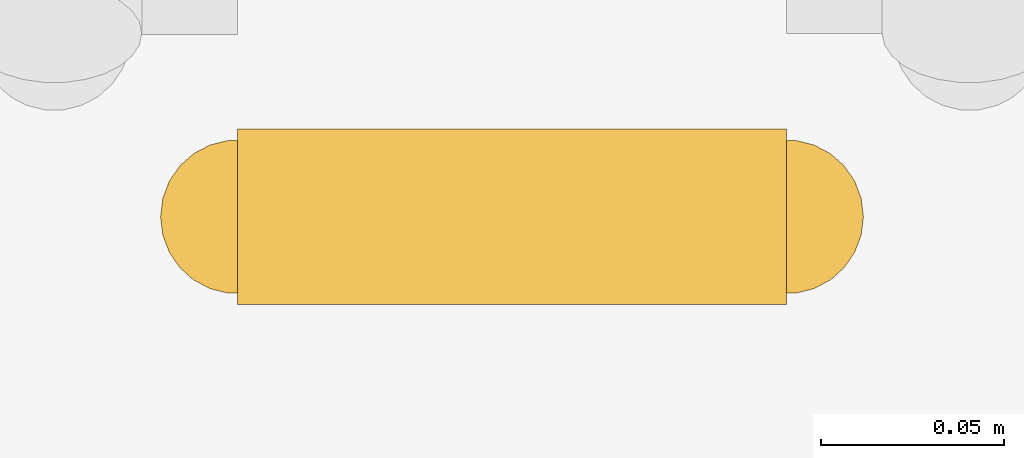
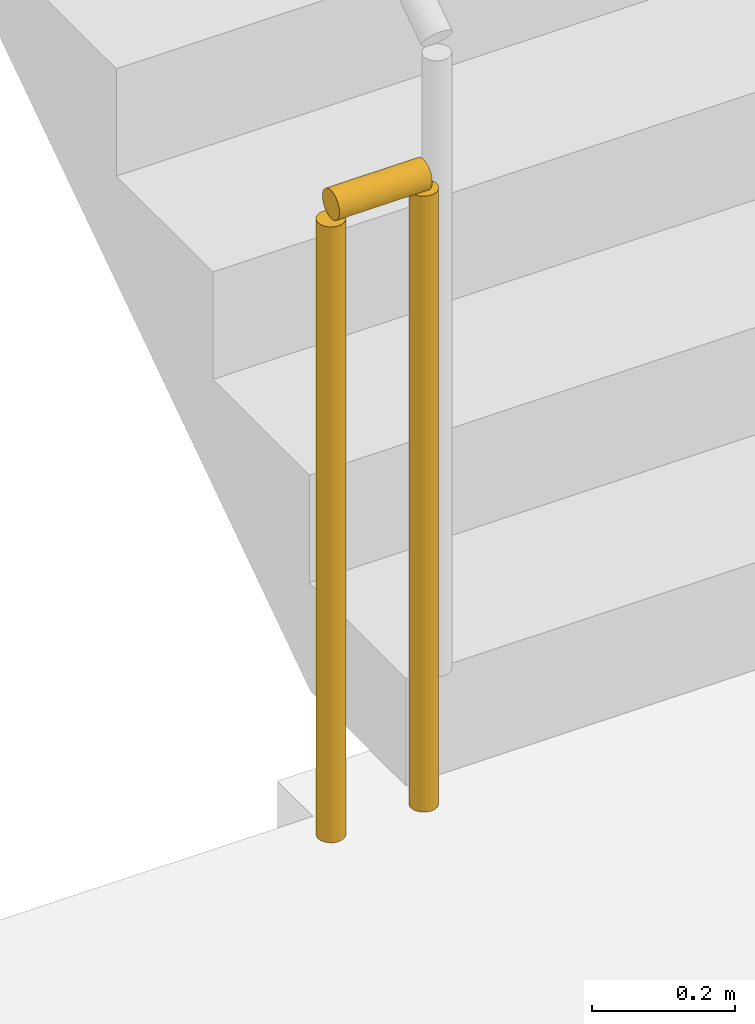
# One storey, part 21 of 25: 1 railing.
"""IFC4 building model written with IfcOpenShell, lengths in metres."""

from ifc_helpers import new_model, si_unit, direction, frame, origin, origin_2d, place, context, subcontext, project, spatial, circle, extrude, material, type_object, element, save


model = new_model("IFC4")

# Units and contexts
model_context = context("Model", 3, precision=1e-05, world=origin(), true_north=direction((0.0, 1.0)))
body_context = subcontext(model_context, "Body", "Model", "MODEL_VIEW")
ifc_project = project(units=[si_unit("LENGTHUNIT", "METRE"), si_unit("AREAUNIT", "SQUARE_METRE"), si_unit("VOLUMEUNIT", "CUBIC_METRE"), si_unit("PLANEANGLEUNIT", "RADIAN"), si_unit("MASSUNIT", "GRAM", prefix="KILO")], contexts=[model_context])

# Site, building, storey
site_placement = place(None, origin())
site = spatial("IfcSite", under=ifc_project, at=site_placement, CompositionType="ELEMENT")
building_placement = place(site_placement, origin())
building = spatial("IfcBuilding", under=site, at=building_placement, Name="Saffron Iwan Residences", CompositionType="ELEMENT")
storey_placement = place(building_placement, frame((0.0, 0.0, 137.5)))
storey = spatial("IfcBuildingStorey", under=building, at=storey_placement, Name="L36", CompositionType="ELEMENT", Elevation=137.5)

# Railing
ifc_material = material(Name="Steel S355", Category="steel")
railing_type = type_object("IfcRailingType", Name="Stair guard 1100", PredefinedType="GUARDRAIL", material=ifc_material)
railing_placement = place(storey_placement, frame((69.699951171875, 67.800048828125, 0.0)))
element("IfcRailing", 1, at=railing_placement, inside=storey, type_object=railing_type, Name="L36 ST-E stair guard 2", PredefinedType="GUARDRAIL", context=body_context, shape_type="SweptSolid", body=[
    extrude(circle(Radius=0.02392578125, at=origin_2d()), frame((0.0, 0.0, 1.076171875), z_axis=(-1.0, 0.0, 0.0), x_axis=(0.0, -1.0, 0.0)), (0.0, 0.0, 1.0), 0.14990234375),
    extrude(circle(Radius=0.02099609375, at=origin_2d()), origin(), (0.0, 0.0, 1.0), 1.052001953125),
    extrude(circle(Radius=0.02099609375, at=origin_2d()), frame((-0.14990234375, 0.0, 0.0)), (0.0, 0.0, 1.0), 1.052001953125),
])

save(model, "model.ifc")
